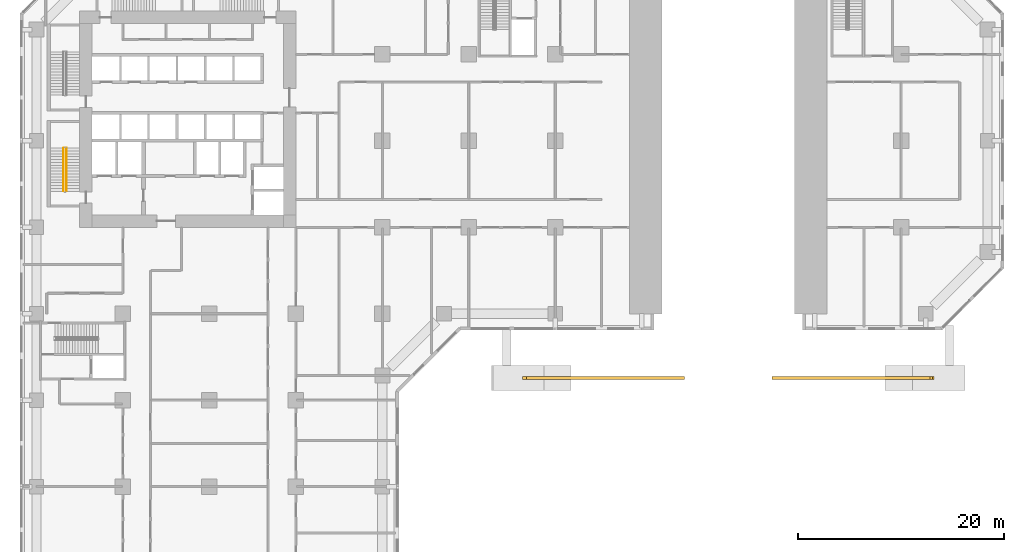
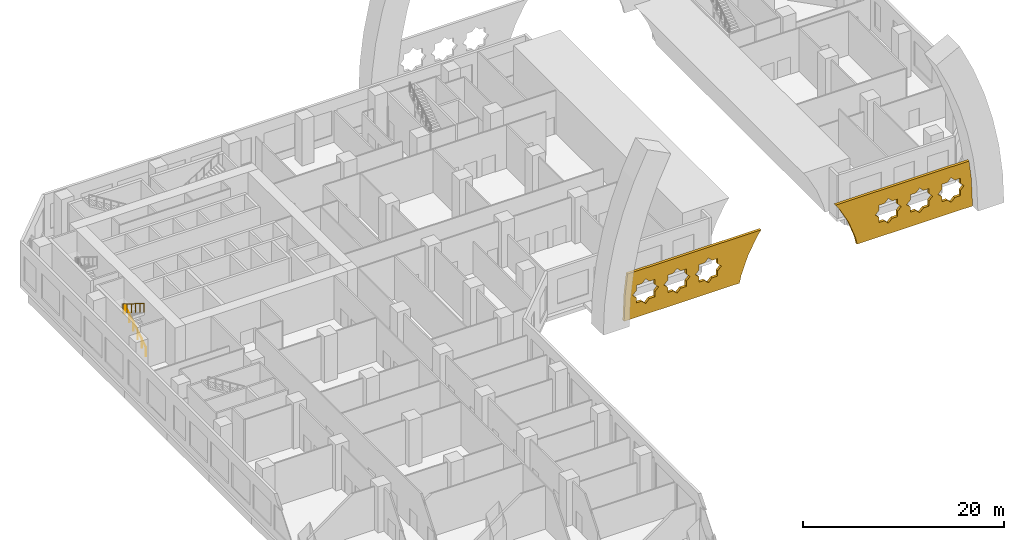
# One storey, part 16 of 19: 2 coverings, 2 railings.
"""IFC4 building model written with IfcOpenShell, lengths in metres."""

from ifc_helpers import new_model, si_unit, direction, frame, origin, origin_2d, place, context, subcontext, project, spatial, polyline, circle, outline, extrude, material, layer, layer_set, type_object, element, save


model = new_model("IFC4")

# Units and contexts
model_context = context("Model", 3, precision=1e-05, world=origin(), true_north=direction((0.0, 1.0)))
body_context = subcontext(model_context, "Body", "Model", "MODEL_VIEW")
ifc_project = project(units=[si_unit("LENGTHUNIT", "METRE"), si_unit("AREAUNIT", "SQUARE_METRE"), si_unit("VOLUMEUNIT", "CUBIC_METRE"), si_unit("PLANEANGLEUNIT", "RADIAN"), si_unit("MASSUNIT", "GRAM", prefix="KILO")], contexts=[model_context])

# Site, building, storey
site_placement = place(None, origin())
site = spatial("IfcSite", under=ifc_project, at=site_placement, CompositionType="ELEMENT")
building_placement = place(site_placement, origin())
building = spatial("IfcBuilding", under=site, at=building_placement, Name="Kawkab Arch Medical Tower", CompositionType="ELEMENT")
storey_placement = place(building_placement, frame((0.0, 0.0, 12.60009765625)))
storey = spatial("IfcBuildingStorey", under=building, at=storey_placement, Name="L03", CompositionType="ELEMENT", Elevation=12.60009765625)

# Coverings
ifc_material_1 = material(Name="Perforated bronze anodised aluminium, eight-point star pattern", Category="aluminium")
ifc_layer = layer(ifc_material_1, 0.300048828125)
ifc_layer_set = layer_set([ifc_layer], Name="Perforated bronze anodised aluminium, eight-point star pattern")
covering_type = type_object("IfcCoveringType", Name="Spandrel star screen 300", PredefinedType="USERDEFINED", material=ifc_layer_set)
placement = place(storey_placement, frame((0.0, -39.699951171875, -12.60009765625), z_axis=(0.0, -1.0, 0.0), x_axis=(1.0, 0.0, 0.0)))
element("IfcCovering", 1, at=placement, inside=storey, type_object=covering_type, Name="Spandrel screen S 2.1", ObjectType="SCREEN", PredefinedType="USERDEFINED", context=body_context, shape_type="SweptSolid", body=[
    extrude(outline(polyline([(47.201171875, 12.60009765625), (60.447509765625, 12.60009765625), (60.634033203125, 13.468017578125), (61.4140625, 15.591064453125), (62.48388671875, 17.5830078125), (62.9375, 18.199951171875), (47.607421875, 18.199951171875), (47.33544921875, 15.94970703125), (47.201171875, 12.60009765625)]), holes=[polyline([(51.16943359375, 15.39990234375), (50.72998046875, 15.83935546875), (50.72998046875, 16.460693359375), (50.108642578125, 16.460693359375), (49.66943359375, 16.89990234375), (49.22998046875, 16.460693359375), (48.608642578125, 16.460693359375), (48.608642578125, 15.83935546875), (48.16943359375, 15.39990234375), (48.608642578125, 14.960693359375), (48.608642578125, 14.33935546875), (49.22998046875, 14.33935546875), (49.66943359375, 13.89990234375), (50.108642578125, 14.33935546875), (50.72998046875, 14.33935546875), (50.72998046875, 14.960693359375), (51.16943359375, 15.39990234375)]), polyline([(54.769287109375, 15.39990234375), (54.330078125, 15.83935546875), (54.330078125, 16.460693359375), (53.708740234375, 16.460693359375), (53.269287109375, 16.89990234375), (52.830078125, 16.460693359375), (52.208740234375, 16.460693359375), (52.208740234375, 15.83935546875), (51.769287109375, 15.39990234375), (52.208740234375, 14.960693359375), (52.208740234375, 14.33935546875), (52.830078125, 14.33935546875), (53.269287109375, 13.89990234375), (53.708740234375, 14.33935546875), (54.330078125, 14.33935546875), (54.330078125, 14.960693359375), (54.769287109375, 15.39990234375)]), polyline([(58.369384765625, 15.39990234375), (57.929931640625, 15.83935546875), (57.929931640625, 16.460693359375), (57.30859375, 16.460693359375), (56.869384765625, 16.89990234375), (56.429931640625, 16.460693359375), (55.80859375, 16.460693359375), (55.80859375, 15.83935546875), (55.369384765625, 15.39990234375), (55.80859375, 14.960693359375), (55.80859375, 14.33935546875), (56.429931640625, 14.33935546875), (56.869384765625, 13.89990234375), (57.30859375, 14.33935546875), (57.929931640625, 14.33935546875), (57.929931640625, 14.960693359375), (58.369384765625, 15.39990234375)])]), origin(), (0.0, 0.0, 1.0), 0.300048828125),
])
element("IfcCovering", 2, at=placement, inside=storey, type_object=covering_type, Name="Spandrel screen S 2.2", ObjectType="SCREEN", PredefinedType="USERDEFINED", context=body_context, shape_type="SweptSolid", body=[
    extrude(outline(polyline([(86.79248046875, 18.199951171875), (71.46240234375, 18.199951171875), (71.916015625, 17.5830078125), (72.986083984375, 15.591064453125), (73.76611328125, 13.468017578125), (73.952392578125, 12.60009765625), (87.19873046875, 12.60009765625), (87.064697265625, 15.94970703125), (86.79248046875, 18.199951171875)]), holes=[polyline([(79.030517578125, 15.39990234375), (78.59130859375, 15.83935546875), (78.59130859375, 16.460693359375), (77.969970703125, 16.460693359375), (77.530517578125, 16.89990234375), (77.09130859375, 16.460693359375), (76.469970703125, 16.460693359375), (76.469970703125, 15.83935546875), (76.030517578125, 15.39990234375), (76.469970703125, 14.960693359375), (76.469970703125, 14.33935546875), (77.09130859375, 14.33935546875), (77.530517578125, 13.89990234375), (77.969970703125, 14.33935546875), (78.59130859375, 14.33935546875), (78.59130859375, 14.960693359375), (79.030517578125, 15.39990234375)]), polyline([(82.630615234375, 15.39990234375), (82.19140625, 15.83935546875), (82.19140625, 16.460693359375), (81.570068359375, 16.460693359375), (81.130615234375, 16.89990234375), (80.69140625, 16.460693359375), (80.070068359375, 16.460693359375), (80.070068359375, 15.83935546875), (79.630615234375, 15.39990234375), (80.070068359375, 14.960693359375), (80.070068359375, 14.33935546875), (80.69140625, 14.33935546875), (81.130615234375, 13.89990234375), (81.570068359375, 14.33935546875), (82.19140625, 14.33935546875), (82.19140625, 14.960693359375), (82.630615234375, 15.39990234375)]), polyline([(86.230712890625, 15.39990234375), (85.791259765625, 15.83935546875), (85.791259765625, 16.460693359375), (85.169921875, 16.460693359375), (84.730712890625, 16.89990234375), (84.291259765625, 16.460693359375), (83.669921875, 16.460693359375), (83.669921875, 15.83935546875), (83.230712890625, 15.39990234375), (83.669921875, 14.960693359375), (83.669921875, 14.33935546875), (84.291259765625, 14.33935546875), (84.730712890625, 13.89990234375), (85.169921875, 14.33935546875), (85.791259765625, 14.33935546875), (85.791259765625, 14.960693359375), (86.230712890625, 15.39990234375)])]), origin(), (0.0, 0.0, 1.0), 0.300048828125),
])

# Railings
ifc_material_2 = material(Name="Stainless steel", Category="steel")
railing_type = type_object("IfcRailingType", Name="Stair guard 1100", PredefinedType="GUARDRAIL", material=ifc_material_2)
railing_1_placement = place(storey_placement, frame((2.89990234375, -21.699951171875, 0.1748046875)))
element("IfcRailing", 3, at=railing_1_placement, inside=storey, type_object=railing_type, Name="L03 ST2 stair guard 1", PredefinedType="GUARDRAIL", context=body_context, shape_type="SweptSolid", body=[
    extrude(circle(Radius=0.02392578125, at=origin_2d()), frame((0.0, 0.0, 1.076171875), z_axis=(0.0, 0.847995534698, 0.530003370869), x_axis=(-1.0, 0.0, 0.0)), (0.0, 0.0, 1.0), 4.952880859375),
    extrude(circle(Radius=0.02099609375, at=origin_2d()), origin(), (0.0, 0.0, 1.0), 1.052001953125),
    extrude(circle(Radius=0.02099609375, at=origin_2d()), frame((0.0, 0.840087890625, 0.52490234375)), (0.0, 0.0, 1.0), 1.052001953125),
    extrude(circle(Radius=0.02099609375, at=origin_2d()), frame((0.0, 1.679931640625, 1.050048828125)), (0.0, 0.0, 1.0), 1.052001953125),
    extrude(circle(Radius=0.02099609375, at=origin_2d()), frame((0.0, 2.52001953125, 1.574951171875)), (0.0, 0.0, 1.0), 1.052001953125),
    extrude(circle(Radius=0.02099609375, at=origin_2d()), frame((0.0, 3.35986328125, 2.10009765625)), (0.0, 0.0, 1.0), 1.052001953125),
    extrude(circle(Radius=0.02099609375, at=origin_2d()), frame((0.0, 4.199951171875, 2.625)), (0.0, 0.0, 1.0), 1.052001953125),
])
railing_2_placement = place(storey_placement, frame((2.64990234375, -17.5, 2.974853515625)))
element("IfcRailing", 4, at=railing_2_placement, inside=storey, type_object=railing_type, Name="L03 ST2 stair guard 3", PredefinedType="GUARDRAIL", context=body_context, shape_type="SweptSolid", body=[
    extrude(circle(Radius=0.02392578125, at=origin_2d()), frame((0.0, 0.0, 1.076171875), z_axis=(0.0, -0.847995534698, 0.530003370869), x_axis=(1.0, 0.0, 0.0)), (0.0, 0.0, 1.0), 4.952880859375),
    extrude(circle(Radius=0.02099609375, at=origin_2d()), origin(), (0.0, 0.0, 1.0), 1.052001953125),
    extrude(circle(Radius=0.02099609375, at=origin_2d()), frame((0.0, -0.840087890625, 0.52490234375)), (0.0, 0.0, 1.0), 1.052001953125),
    extrude(circle(Radius=0.02099609375, at=origin_2d()), frame((0.0, -1.679931640625, 1.050048828125)), (0.0, 0.0, 1.0), 1.052001953125),
    extrude(circle(Radius=0.02099609375, at=origin_2d()), frame((0.0, -2.52001953125, 1.574951171875)), (0.0, 0.0, 1.0), 1.052001953125),
    extrude(circle(Radius=0.02099609375, at=origin_2d()), frame((0.0, -3.35986328125, 2.10009765625)), (0.0, 0.0, 1.0), 1.052001953125),
    extrude(circle(Radius=0.02099609375, at=origin_2d()), frame((0.0, -4.199951171875, 2.625)), (0.0, 0.0, 1.0), 1.052001953125),
])

save(model, "model.ifc")
